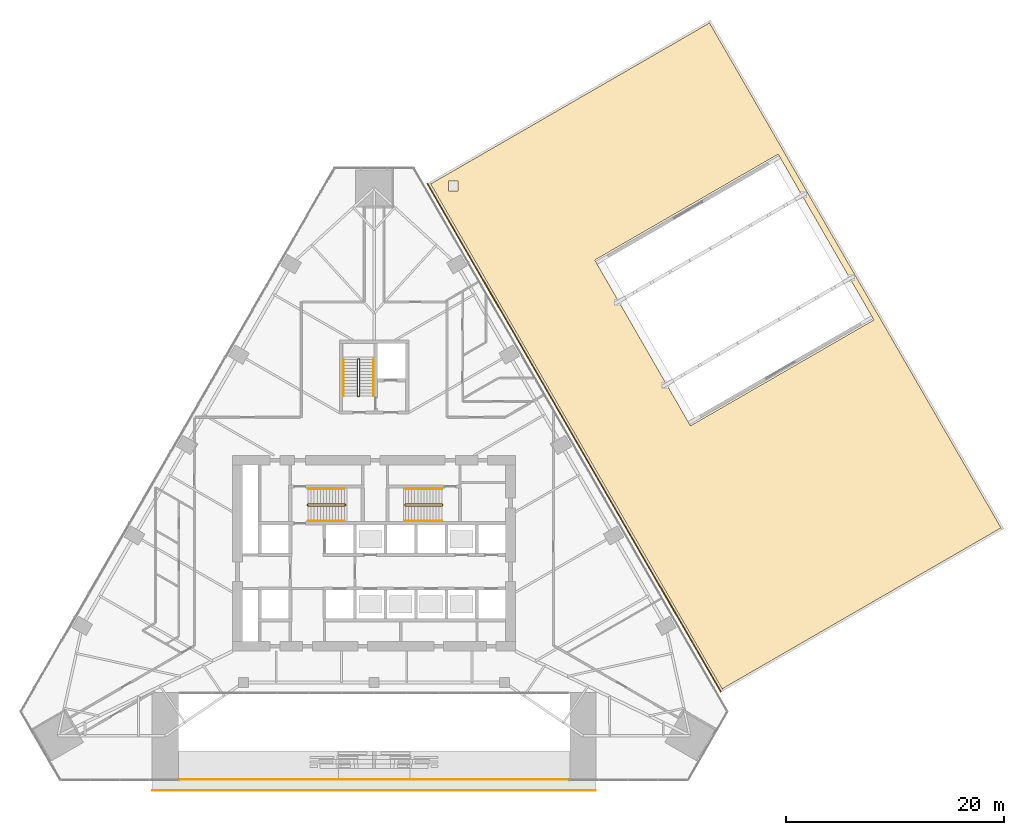
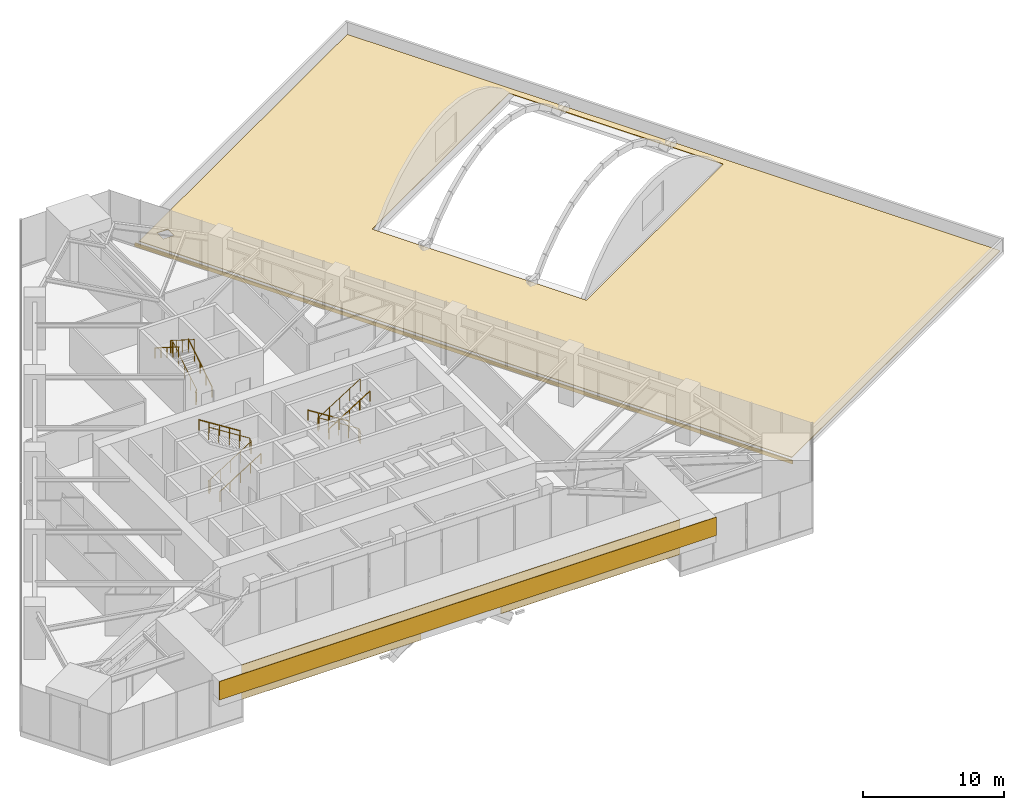
# One storey, part 22 of 23: 9 railings, 6 coverings.
"""IFC4 building model written with IfcOpenShell, lengths in metres."""

from ifc_helpers import new_model, si_unit, direction, frame, origin, origin_2d, place, context, subcontext, project, spatial, polyline, rectangle, circle, outline, extrude, material, layer, layer_set, type_object, element, save


model = new_model("IFC4")

# Units and contexts
model_context = context("Model", 3, precision=1e-05, world=origin(), true_north=direction((0.0, 1.0)))
body_context = subcontext(model_context, "Body", "Model", "MODEL_VIEW")
ifc_project = project(units=[si_unit("LENGTHUNIT", "METRE"), si_unit("AREAUNIT", "SQUARE_METRE"), si_unit("VOLUMEUNIT", "CUBIC_METRE"), si_unit("PLANEANGLEUNIT", "RADIAN"), si_unit("MASSUNIT", "GRAM", prefix="KILO")], contexts=[model_context])

# Site, building, storey
site_placement = place(None, origin())
site = spatial("IfcSite", under=ifc_project, at=site_placement, CompositionType="ELEMENT")
building_placement = place(site_placement, origin())
building = spatial("IfcBuilding", under=site, at=building_placement, Name="Firuza Gate Tower and Library", CompositionType="ELEMENT")
storey_placement = place(building_placement, frame((0.0, 0.0, 26.39990234375)))
storey = spatial("IfcBuildingStorey", under=building, at=storey_placement, Name="L05", CompositionType="ELEMENT", Elevation=26.39990234375)

# Coverings
ifc_material_1 = material(Name="Glazed ceramic tile, cobalt")
ifc_layer_1 = layer(ifc_material_1, 0.0400390625)
ifc_layer_set_1 = layer_set([ifc_layer_1], Name="Cobalt glazed tile cladding 40")
covering_type_1 = type_object("IfcCoveringType", Name="Cobalt glazed tile cladding 40", PredefinedType="CLADDING", material=ifc_layer_set_1)
covering_1_placement = place(storey_placement, frame((54.60009765625, 53.17529296875, 3.0), z_axis=(0.0, -1.0, 0.0), x_axis=(1.0, 0.0, 0.0)))
element("IfcCovering", 1, at=covering_1_placement, inside=storey, type_object=covering_type_1, Name="Pishtaq tile", PredefinedType="CLADDING", context=body_context, shape_type="SweptSolid", body=[
    extrude(outline(polyline([(0.0, 0.0), (40.7998046875, 0.0), (40.7998046875, 1.60009765625), (0.0, 1.60009765625), (0.0, 0.0)])), origin(), (0.0, 0.0, -1.0), 0.0400390625),
])
ifc_material_2 = material(Name="Glazed ceramic tile")
ifc_layer_2 = layer(ifc_material_2, 0.0400390625)
ifc_layer_set_2 = layer_set([ifc_layer_2], Name="Glazed tile cladding 40")
covering_type_2 = type_object("IfcCoveringType", Name="Glazed tile cladding 40", PredefinedType="CLADDING", material=ifc_layer_set_2)
for number, where, z_axis, x_axis, name in (
    (2, (57.0, 54.17529296875, 1.60009765625), (0.0, -1.0, 0.0), (1.0, 0.0, 0.0), "Gate tile 27"),
    (3, (78.286376953125, 54.17529296875, 1.60009765625), (0.0, -1.0, 0.0), (1.0, 0.0, 0.0), "Gate tile 28"),
):
    element("IfcCovering", number, at=place(storey_placement, frame(where, z_axis=z_axis, x_axis=x_axis)), inside=storey, type_object=covering_type_2, Name=name, PredefinedType="CLADDING", context=body_context, shape_type="SweptSolid", body=[
        extrude(outline(polyline([(0.0, 0.0), (14.713623046875, 0.0), (14.713623046875, 2.0), (0.0, 2.0), (0.0, 0.0)])), origin(), (0.0, 0.0, -1.0), 0.0400390625),
    ])
covering_2_placement = place(storey_placement, frame((57.0, 54.17529296875, 3.60009765625), z_axis=(0.0, -1.0, 0.0), x_axis=(1.0, 0.0, 0.0)))
element("IfcCovering", 4, at=covering_2_placement, inside=storey, type_object=covering_type_2, Name="Gate tile 29", PredefinedType="CLADDING", context=body_context, shape_type="SweptSolid", body=[
    extrude(outline(polyline([(0.0, 0.0), (36.0, 0.0), (36.0, 1.0), (0.0, 1.0), (0.0, 0.0)])), origin(), (0.0, 0.0, -1.0), 0.0400390625),
])
ifc_material_3 = material(Name="Stainless steel 316", Category="steel")
ifc_layer_3 = layer(ifc_material_3, 0.10009765625)
ifc_layer_set_3 = layer_set([ifc_layer_3], Name="LIB JOINT COVER")
covering_type_3 = type_object("IfcCoveringType", Name="LIB JOINT COVER", PredefinedType="MOLDING", material=ifc_layer_set_3)
covering_3_placement = place(storey_placement, frame((93.3896484375, 85.6171875, -0.2998046875), z_axis=(0.0, 0.0, 1.0), x_axis=(-0.5, 0.866025403784, 0.0)))
element("IfcCovering", 5, at=covering_3_placement, inside=storey, type_object=covering_type_3, Name="Movement joint cover L05", PredefinedType="MOLDING", context=body_context, shape_type="SweptSolid", body=[
    extrude(rectangle(XDim=54.0, YDim=0.10009765625, at=origin_2d()), origin(), (0.0, 0.0, 1.0), 0.300048828125),
])
ifc_material_4 = material(Name="Bituminous membrane roofing")
ifc_layer_4 = layer(ifc_material_4, 0.050048828125)
ifc_layer_set_4 = layer_set([ifc_layer_4], Name="LIB ROOFING")
covering_type_4 = type_object("IfcCoveringType", Name="LIB ROOFING", PredefinedType="ROOFING", material=ifc_layer_set_4)
covering_4_placement = place(storey_placement, origin())
element("IfcCovering", 6, at=covering_4_placement, inside=storey, type_object=covering_type_4, Name="Library roofing", PredefinedType="ROOFING", context=body_context, shape_type="SweptSolid", body=[
    extrude(outline(polyline([(80.206298828125, 108.951904296875), (105.840576171875, 123.751708984375), (132.640625, 77.332763671875), (107.006103515625, 62.53271484375), (80.206298828125, 108.951904296875)]), holes=[polyline([(81.82861328125, 109.212646484375), (81.82861328125, 108.3125), (82.728515625, 108.3125), (82.728515625, 109.212646484375), (81.82861328125, 109.212646484375)]), polyline([(112.153076171875, 111.6923828125), (95.287841796875, 101.955322265625), (104.087890625, 86.713134765625), (120.953125, 96.4501953125), (112.153076171875, 111.6923828125)])]), origin(), (0.0, 0.0, 1.0), 0.050048828125),
])

# Railings
ifc_material_5 = material(Name="Steel S355", Category="steel")
railing_type_1 = type_object("IfcRailingType", Name="Stair guard 1100", PredefinedType="GUARDRAIL", material=ifc_material_5)
railing_1_placement = place(storey_placement, frame((68.889892578125, 79.389892578125, 0.0)))
element("IfcRailing", 7, at=railing_1_placement, inside=storey, type_object=railing_type_1, Name="L05 ST1 stair guard 1", PredefinedType="GUARDRAIL", context=body_context, shape_type="SweptSolid", body=[
    extrude(circle(Radius=0.02392578125, at=origin_2d()), frame((0.0, 0.0, 1.076171875), z_axis=(0.0, 1.0, 0.0), x_axis=(-1.0, 0.0, 0.0)), (0.0, 0.0, 1.0), 0.10009765625),
    extrude(circle(Radius=0.02392578125, at=origin_2d()), frame((0.0, 0.10009765625, 1.076171875), z_axis=(0.210920754441, -0.631733381593, 0.74593925351), x_axis=(0.948528701346, 0.316691178788, 0.0)), (0.0, 0.0, 1.0), 0.2373046875),
    extrude(circle(Radius=0.02392578125, at=origin_2d()), frame((0.050048828125, -0.0498046875, 1.2529296875), z_axis=(0.845389635667, 0.0, 0.534150132366), x_axis=(0.0, 1.0, 0.0)), (0.0, 0.0, 1.0), 3.974609375),
    extrude(circle(Radius=0.02392578125, at=origin_2d()), frame((3.41015625, -0.0498046875, 3.3759765625), z_axis=(0.708833529934, 0.705375805398, 0.0), x_axis=(-0.705375805398, 0.708833529934, 0.0)), (0.0, 0.0, 1.0), 0.070556640625),
    extrude(circle(Radius=0.02392578125, at=origin_2d()), frame((3.460205078125, 0.0, 3.3759765625), z_axis=(0.0, 1.0, 0.0), x_axis=(-1.0, 0.0, 0.0)), (0.0, 0.0, 1.0), 0.10009765625),
    extrude(circle(Radius=0.02392578125, at=origin_2d()), frame((3.460205078125, 0.10009765625, 3.3759765625), z_axis=(-0.262545553595, 0.262545553595, 0.928514762713), x_axis=(-0.707106781187, -0.707106781187, 0.0)), (0.0, 0.0, 1.0), 0.190673828125),
    extrude(circle(Radius=0.02392578125, at=origin_2d()), frame((3.41015625, 0.150146484375, 3.55322265625), z_axis=(-0.845389635667, 0.0, 0.534150132366), x_axis=(0.0, -1.0, 0.0)), (0.0, 0.0, 1.0), 3.974609375),
    extrude(circle(Radius=0.02099609375, at=origin_2d()), origin(), (0.0, 0.0, 1.0), 1.052001953125),
    extrude(circle(Radius=0.02099609375, at=origin_2d()), frame((0.0, 0.10009765625, 0.0)), (0.0, 0.0, 1.0), 1.052001953125),
    extrude(circle(Radius=0.02099609375, at=origin_2d()), frame((0.050048828125, -0.0498046875, 0.177001953125)), (0.0, 0.0, 1.0), 1.052001953125),
    extrude(circle(Radius=0.02099609375, at=origin_2d()), frame((0.89013671875, -0.0498046875, 0.707763671875)), (0.0, 0.0, 1.0), 1.052001953125),
    extrude(circle(Radius=0.02099609375, at=origin_2d()), frame((1.72998046875, -0.0498046875, 1.238525390625)), (0.0, 0.0, 1.0), 1.052001953125),
    extrude(circle(Radius=0.02099609375, at=origin_2d()), frame((2.570068359375, -0.0498046875, 1.769287109375)), (0.0, 0.0, 1.0), 1.052001953125),
    extrude(circle(Radius=0.02099609375, at=origin_2d()), frame((3.41015625, -0.0498046875, 2.300048828125)), (0.0, 0.0, 1.0), 1.052001953125),
    extrude(circle(Radius=0.02099609375, at=origin_2d()), frame((3.460205078125, 0.0, 2.300048828125)), (0.0, 0.0, 1.0), 1.052001953125),
    extrude(circle(Radius=0.02099609375, at=origin_2d()), frame((3.460205078125, 0.10009765625, 2.300048828125)), (0.0, 0.0, 1.0), 1.052001953125),
    extrude(circle(Radius=0.02099609375, at=origin_2d()), frame((3.41015625, 0.150146484375, 2.47705078125)), (0.0, 0.0, 1.0), 1.052001953125),
    extrude(circle(Radius=0.02099609375, at=origin_2d()), frame((2.570068359375, 0.150146484375, 3.0078125)), (0.0, 0.0, 1.0), 1.052001953125),
    extrude(circle(Radius=0.02099609375, at=origin_2d()), frame((1.72998046875, 0.150146484375, 3.53857421875)), (0.0, 0.0, 1.0), 1.052001953125),
    extrude(circle(Radius=0.02099609375, at=origin_2d()), frame((0.89013671875, 0.150146484375, 4.0693359375)), (0.0, 0.0, 1.0), 1.052001953125),
    extrude(circle(Radius=0.02099609375, at=origin_2d()), frame((0.050048828125, 0.150146484375, 4.60009765625)), (0.0, 0.0, 1.0), 1.052001953125),
])
railing_2_placement = place(storey_placement, frame((81.31005859375, 79.489990234375, 0.0)))
element("IfcRailing", 8, at=railing_2_placement, inside=storey, type_object=railing_type_1, Name="L05 ST2 stair guard 1", PredefinedType="GUARDRAIL", context=body_context, shape_type="SweptSolid", body=[
    extrude(circle(Radius=0.02392578125, at=origin_2d()), frame((0.0, 0.0, 1.076171875), z_axis=(0.0, -1.0, 0.0), x_axis=(1.0, 0.0, 0.0)), (0.0, 0.0, 1.0), 0.10009765625),
    extrude(circle(Radius=0.02392578125, at=origin_2d()), frame((0.0, -0.10009765625, 1.076171875), z_axis=(-0.210783682489, 0.632351047466, 0.74545448685), x_axis=(-0.948683298051, -0.316227766017, 0.0)), (0.0, 0.0, 1.0), 0.237548828125),
    extrude(circle(Radius=0.02392578125, at=origin_2d()), frame((-0.050048828125, 0.050048828125, 1.2529296875), z_axis=(-0.845389635667, 0.0, 0.534150132366), x_axis=(0.0, -1.0, 0.0)), (0.0, 0.0, 1.0), 3.974609375),
    extrude(circle(Radius=0.02392578125, at=origin_2d()), frame((-3.41015625, 0.050048828125, 3.3759765625), z_axis=(-0.705375805398, -0.708833529934, 0.0), x_axis=(0.708833529934, -0.705375805398, 0.0)), (0.0, 0.0, 1.0), 0.070556640625),
    extrude(circle(Radius=0.02392578125, at=origin_2d()), frame((-3.4599609375, 0.0, 3.3759765625), z_axis=(0.0, -1.0, 0.0), x_axis=(1.0, 0.0, 0.0)), (0.0, 0.0, 1.0), 0.10009765625),
    extrude(circle(Radius=0.02392578125, at=origin_2d()), frame((-3.4599609375, -0.10009765625, 3.3759765625), z_axis=(0.261440289461, -0.261440289461, 0.929138283623), x_axis=(0.707106781187, 0.707106781187, 0.0)), (0.0, 0.0, 1.0), 0.1904296875),
    extrude(circle(Radius=0.02392578125, at=origin_2d()), frame((-3.41015625, -0.14990234375, 3.55322265625), z_axis=(0.845389635667, 0.0, 0.534150132366), x_axis=(0.0, 1.0, 0.0)), (0.0, 0.0, 1.0), 3.974609375),
    extrude(circle(Radius=0.02099609375, at=origin_2d()), origin(), (0.0, 0.0, 1.0), 1.052001953125),
    extrude(circle(Radius=0.02099609375, at=origin_2d()), frame((0.0, -0.10009765625, 0.0)), (0.0, 0.0, 1.0), 1.052001953125),
    extrude(circle(Radius=0.02099609375, at=origin_2d()), frame((-0.050048828125, 0.050048828125, 0.177001953125)), (0.0, 0.0, 1.0), 1.052001953125),
    extrude(circle(Radius=0.02099609375, at=origin_2d()), frame((-0.89013671875, 0.050048828125, 0.707763671875)), (0.0, 0.0, 1.0), 1.052001953125),
    extrude(circle(Radius=0.02099609375, at=origin_2d()), frame((-1.72998046875, 0.050048828125, 1.238525390625)), (0.0, 0.0, 1.0), 1.052001953125),
    extrude(circle(Radius=0.02099609375, at=origin_2d()), frame((-2.570068359375, 0.050048828125, 1.769287109375)), (0.0, 0.0, 1.0), 1.052001953125),
    extrude(circle(Radius=0.02099609375, at=origin_2d()), frame((-3.41015625, 0.050048828125, 2.300048828125)), (0.0, 0.0, 1.0), 1.052001953125),
    extrude(circle(Radius=0.02099609375, at=origin_2d()), frame((-3.4599609375, 0.0, 2.300048828125)), (0.0, 0.0, 1.0), 1.052001953125),
    extrude(circle(Radius=0.02099609375, at=origin_2d()), frame((-3.4599609375, -0.10009765625, 2.300048828125)), (0.0, 0.0, 1.0), 1.052001953125),
    extrude(circle(Radius=0.02099609375, at=origin_2d()), frame((-3.41015625, -0.14990234375, 2.47705078125)), (0.0, 0.0, 1.0), 1.052001953125),
    extrude(circle(Radius=0.02099609375, at=origin_2d()), frame((-2.570068359375, -0.14990234375, 3.0078125)), (0.0, 0.0, 1.0), 1.052001953125),
    extrude(circle(Radius=0.02099609375, at=origin_2d()), frame((-1.72998046875, -0.14990234375, 3.53857421875)), (0.0, 0.0, 1.0), 1.052001953125),
    extrude(circle(Radius=0.02099609375, at=origin_2d()), frame((-0.89013671875, -0.14990234375, 4.0693359375)), (0.0, 0.0, 1.0), 1.052001953125),
    extrude(circle(Radius=0.02099609375, at=origin_2d()), frame((-0.050048828125, -0.14990234375, 4.60009765625)), (0.0, 0.0, 1.0), 1.052001953125),
])
railing_3_placement = place(storey_placement, frame((73.6298828125, 89.419921875, 0.0)))
element("IfcRailing", 9, at=railing_3_placement, inside=storey, type_object=railing_type_1, Name="L05 ST3 stair guard 1", PredefinedType="GUARDRAIL", context=body_context, shape_type="SweptSolid", body=[
    extrude(circle(Radius=0.02392578125, at=origin_2d()), frame((0.0, 0.0, 1.076171875), z_axis=(-1.0, 0.0, 0.0), x_axis=(0.0, -1.0, 0.0)), (0.0, 0.0, 1.0), 0.099853515625),
    extrude(circle(Radius=0.02392578125, at=origin_2d()), frame((-0.099853515625, 0.0, 1.076171875), z_axis=(0.631733381593, 0.210920754441, 0.74593925351), x_axis=(-0.316691178788, 0.948528701346, 0.0)), (0.0, 0.0, 1.0), 0.2373046875),
    extrude(circle(Radius=0.02392578125, at=origin_2d()), frame((0.050048828125, 0.050048828125, 1.2529296875), z_axis=(0.0, 0.845389635667, 0.534150132366), x_axis=(-1.0, 0.0, 0.0)), (0.0, 0.0, 1.0), 3.974609375),
    extrude(circle(Radius=0.02392578125, at=origin_2d()), frame((0.050048828125, 3.41015625, 3.3759765625), z_axis=(-0.708833529934, 0.705375805398, 0.0), x_axis=(-0.705375805398, -0.708833529934, 0.0)), (0.0, 0.0, 1.0), 0.070556640625),
    extrude(circle(Radius=0.02392578125, at=origin_2d()), frame((0.0, 3.4599609375, 3.3759765625), z_axis=(-1.0, 0.0, 0.0), x_axis=(0.0, -1.0, 0.0)), (0.0, 0.0, 1.0), 0.099853515625),
    extrude(circle(Radius=0.02392578125, at=origin_2d()), frame((-0.099853515625, 3.4599609375, 3.3759765625), z_axis=(-0.262633662168, -0.261352522353, 0.928826366204), x_axis=(0.705375805398, -0.708833529934, 0.0)), (0.0, 0.0, 1.0), 0.190673828125),
    extrude(circle(Radius=0.02392578125, at=origin_2d()), frame((-0.14990234375, 3.41015625, 3.55322265625), z_axis=(0.0, -0.845389635667, 0.534150132366), x_axis=(1.0, 0.0, 0.0)), (0.0, 0.0, 1.0), 3.974609375),
    extrude(circle(Radius=0.02099609375, at=origin_2d()), origin(), (0.0, 0.0, 1.0), 1.052001953125),
    extrude(circle(Radius=0.02099609375, at=origin_2d()), frame((-0.099853515625, 0.0, 0.0)), (0.0, 0.0, 1.0), 1.052001953125),
    extrude(circle(Radius=0.02099609375, at=origin_2d()), frame((0.050048828125, 0.050048828125, 0.177001953125)), (0.0, 0.0, 1.0), 1.052001953125),
    extrude(circle(Radius=0.02099609375, at=origin_2d()), frame((0.050048828125, 0.89013671875, 0.707763671875)), (0.0, 0.0, 1.0), 1.052001953125),
    extrude(circle(Radius=0.02099609375, at=origin_2d()), frame((0.050048828125, 1.72998046875, 1.238525390625)), (0.0, 0.0, 1.0), 1.052001953125),
    extrude(circle(Radius=0.02099609375, at=origin_2d()), frame((0.050048828125, 2.570068359375, 1.769287109375)), (0.0, 0.0, 1.0), 1.052001953125),
    extrude(circle(Radius=0.02099609375, at=origin_2d()), frame((0.050048828125, 3.41015625, 2.300048828125)), (0.0, 0.0, 1.0), 1.052001953125),
    extrude(circle(Radius=0.02099609375, at=origin_2d()), frame((0.0, 3.4599609375, 2.300048828125)), (0.0, 0.0, 1.0), 1.052001953125),
    extrude(circle(Radius=0.02099609375, at=origin_2d()), frame((-0.099853515625, 3.4599609375, 2.300048828125)), (0.0, 0.0, 1.0), 1.052001953125),
    extrude(circle(Radius=0.02099609375, at=origin_2d()), frame((-0.14990234375, 3.41015625, 2.47705078125)), (0.0, 0.0, 1.0), 1.052001953125),
    extrude(circle(Radius=0.02099609375, at=origin_2d()), frame((-0.14990234375, 2.570068359375, 3.0078125)), (0.0, 0.0, 1.0), 1.052001953125),
    extrude(circle(Radius=0.02099609375, at=origin_2d()), frame((-0.14990234375, 1.72998046875, 3.53857421875)), (0.0, 0.0, 1.0), 1.052001953125),
    extrude(circle(Radius=0.02099609375, at=origin_2d()), frame((-0.14990234375, 0.89013671875, 4.0693359375)), (0.0, 0.0, 1.0), 1.052001953125),
    extrude(circle(Radius=0.02099609375, at=origin_2d()), frame((-0.14990234375, 0.050048828125, 4.60009765625)), (0.0, 0.0, 1.0), 1.052001953125),
])
ifc_material_6 = material(Name="Steel S355", Category="steel")
railing_type_2 = type_object("IfcRailingType", Name="Stair handrail 900", PredefinedType="HANDRAIL", material=ifc_material_6)
railing_4_placement = place(storey_placement, frame((68.93994140625, 77.949951171875, 0.177001953125)))
element("IfcRailing", 10, at=railing_4_placement, inside=storey, type_object=railing_type_2, Name="L05 ST1 stair handrail 1", PredefinedType="HANDRAIL", context=body_context, shape_type="SweptSolid", body=[
    extrude(circle(Radius=0.02392578125, at=origin_2d()), frame((0.0, 0.0, 0.8759765625), z_axis=(0.845389635667, 0.0, 0.534150132366), x_axis=(0.0, 1.0, 0.0)), (0.0, 0.0, 1.0), 3.974609375),
    extrude(circle(Radius=0.02099609375, at=origin_2d()), origin(), (0.0, 0.0, 1.0), 0.851806640625),
    extrude(circle(Radius=0.02099609375, at=origin_2d()), frame((0.840087890625, 0.0, 0.53076171875)), (0.0, 0.0, 1.0), 0.851806640625),
    extrude(circle(Radius=0.02099609375, at=origin_2d()), frame((1.68017578125, 0.0, 1.0615234375)), (0.0, 0.0, 1.0), 0.851806640625),
    extrude(circle(Radius=0.02099609375, at=origin_2d()), frame((2.52001953125, 0.0, 1.59228515625)), (0.0, 0.0, 1.0), 0.851806640625),
    extrude(circle(Radius=0.02099609375, at=origin_2d()), frame((3.360107421875, 0.0, 2.123046875)), (0.0, 0.0, 1.0), 0.851806640625),
])
for number, where, name in (
    (11, (72.300048828125, 80.929931640625, 2.47705078125), "L05 ST1 stair handrail 2"),
    (12, (81.260009765625, 80.929931640625, 0.177001953125), "L05 ST2 stair handrail 1"),
):
    element("IfcRailing", number, at=place(storey_placement, frame(where)), inside=storey, type_object=railing_type_2, Name=name, PredefinedType="HANDRAIL", context=body_context, shape_type="SweptSolid", body=[
        extrude(circle(Radius=0.02392578125, at=origin_2d()), frame((0.0, 0.0, 0.8759765625), z_axis=(-0.845389635667, 0.0, 0.534150132366), x_axis=(0.0, -1.0, 0.0)), (0.0, 0.0, 1.0), 3.974609375),
        extrude(circle(Radius=0.02099609375, at=origin_2d()), origin(), (0.0, 0.0, 1.0), 0.851806640625),
        extrude(circle(Radius=0.02099609375, at=origin_2d()), frame((-0.840087890625, 0.0, 0.53076171875)), (0.0, 0.0, 1.0), 0.851806640625),
        extrude(circle(Radius=0.02099609375, at=origin_2d()), frame((-1.68017578125, 0.0, 1.0615234375)), (0.0, 0.0, 1.0), 0.851806640625),
        extrude(circle(Radius=0.02099609375, at=origin_2d()), frame((-2.52001953125, 0.0, 1.59228515625)), (0.0, 0.0, 1.0), 0.851806640625),
        extrude(circle(Radius=0.02099609375, at=origin_2d()), frame((-3.360107421875, 0.0, 2.123046875)), (0.0, 0.0, 1.0), 0.851806640625),
    ])
railing_5_placement = place(storey_placement, frame((77.89990234375, 77.949951171875, 2.47705078125)))
element("IfcRailing", 13, at=railing_5_placement, inside=storey, type_object=railing_type_2, Name="L05 ST2 stair handrail 2", PredefinedType="HANDRAIL", context=body_context, shape_type="SweptSolid", body=[
    extrude(circle(Radius=0.02392578125, at=origin_2d()), frame((0.0, 0.0, 0.8759765625), z_axis=(0.845389635667, 0.0, 0.534150132366), x_axis=(0.0, 1.0, 0.0)), (0.0, 0.0, 1.0), 3.974609375),
    extrude(circle(Radius=0.02099609375, at=origin_2d()), origin(), (0.0, 0.0, 1.0), 0.851806640625),
    extrude(circle(Radius=0.02099609375, at=origin_2d()), frame((0.840087890625, 0.0, 0.53076171875)), (0.0, 0.0, 1.0), 0.851806640625),
    extrude(circle(Radius=0.02099609375, at=origin_2d()), frame((1.68017578125, 0.0, 1.0615234375)), (0.0, 0.0, 1.0), 0.851806640625),
    extrude(circle(Radius=0.02099609375, at=origin_2d()), frame((2.52001953125, 0.0, 1.59228515625)), (0.0, 0.0, 1.0), 0.851806640625),
    extrude(circle(Radius=0.02099609375, at=origin_2d()), frame((3.360107421875, 0.0, 2.123046875)), (0.0, 0.0, 1.0), 0.851806640625),
])
railing_6_placement = place(storey_placement, frame((74.949951171875, 89.469970703125, 0.177001953125)))
element("IfcRailing", 14, at=railing_6_placement, inside=storey, type_object=railing_type_2, Name="L05 ST3 stair handrail 1", PredefinedType="HANDRAIL", context=body_context, shape_type="SweptSolid", body=[
    extrude(circle(Radius=0.02392578125, at=origin_2d()), frame((0.0, 0.0, 0.8759765625), z_axis=(0.0, 0.845389635667, 0.534150132366), x_axis=(-1.0, 0.0, 0.0)), (0.0, 0.0, 1.0), 3.974609375),
    extrude(circle(Radius=0.02099609375, at=origin_2d()), origin(), (0.0, 0.0, 1.0), 0.851806640625),
    extrude(circle(Radius=0.02099609375, at=origin_2d()), frame((0.0, 0.840087890625, 0.53076171875)), (0.0, 0.0, 1.0), 0.851806640625),
    extrude(circle(Radius=0.02099609375, at=origin_2d()), frame((0.0, 1.68017578125, 1.0615234375)), (0.0, 0.0, 1.0), 0.851806640625),
    extrude(circle(Radius=0.02099609375, at=origin_2d()), frame((0.0, 2.52001953125, 1.59228515625)), (0.0, 0.0, 1.0), 0.851806640625),
    extrude(circle(Radius=0.02099609375, at=origin_2d()), frame((0.0, 3.360107421875, 2.123046875)), (0.0, 0.0, 1.0), 0.851806640625),
])
railing_7_placement = place(storey_placement, frame((72.2099609375, 92.830078125, 2.47705078125)))
element("IfcRailing", 15, at=railing_7_placement, inside=storey, type_object=railing_type_2, Name="L05 ST3 stair handrail 2", PredefinedType="HANDRAIL", context=body_context, shape_type="SweptSolid", body=[
    extrude(circle(Radius=0.02392578125, at=origin_2d()), frame((0.0, 0.0, 0.8759765625), z_axis=(0.0, -0.845389635667, 0.534150132366), x_axis=(1.0, 0.0, 0.0)), (0.0, 0.0, 1.0), 3.974609375),
    extrude(circle(Radius=0.02099609375, at=origin_2d()), origin(), (0.0, 0.0, 1.0), 0.851806640625),
    extrude(circle(Radius=0.02099609375, at=origin_2d()), frame((0.0, -0.840087890625, 0.53076171875)), (0.0, 0.0, 1.0), 0.851806640625),
    extrude(circle(Radius=0.02099609375, at=origin_2d()), frame((0.0, -1.68017578125, 1.0615234375)), (0.0, 0.0, 1.0), 0.851806640625),
    extrude(circle(Radius=0.02099609375, at=origin_2d()), frame((0.0, -2.52001953125, 1.59228515625)), (0.0, 0.0, 1.0), 0.851806640625),
    extrude(circle(Radius=0.02099609375, at=origin_2d()), frame((0.0, -3.360107421875, 2.123046875)), (0.0, 0.0, 1.0), 0.851806640625),
])

save(model, "model.ifc")
